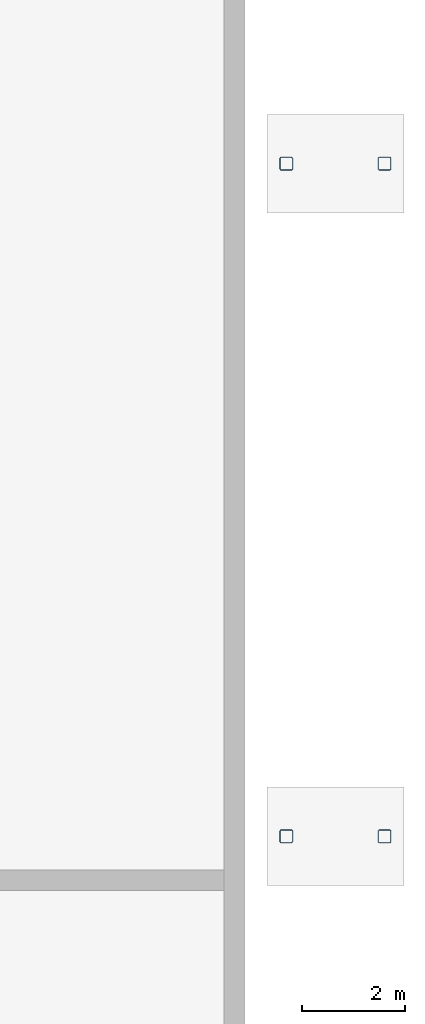
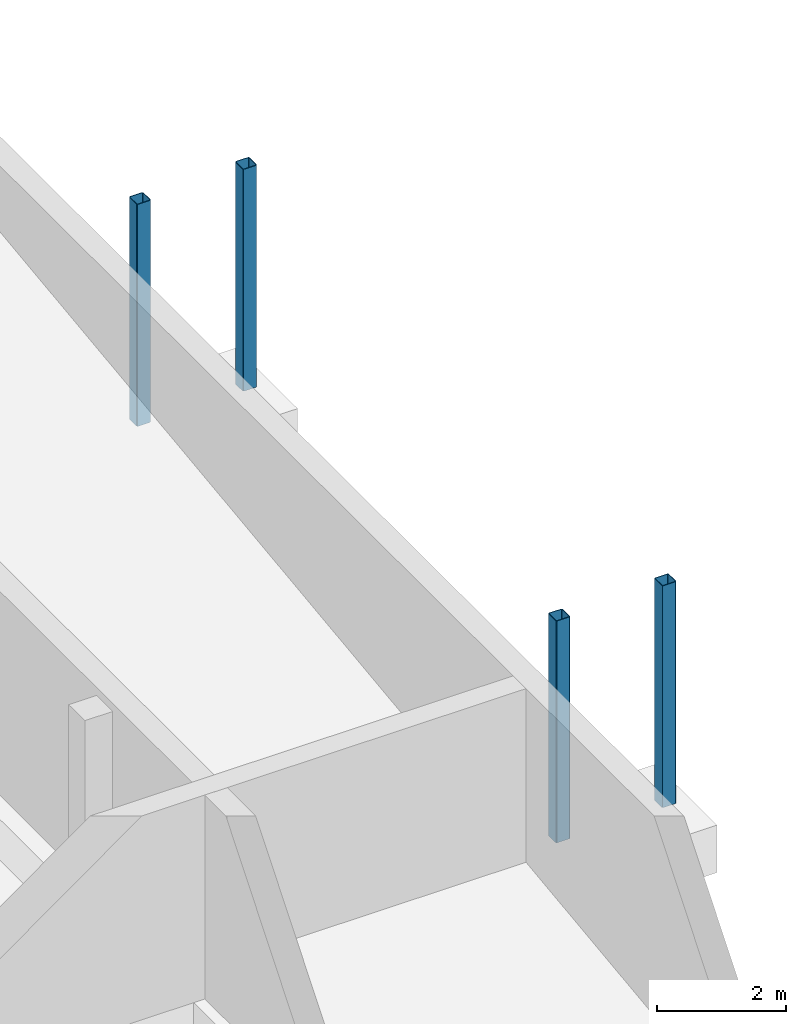
# One storey, part 24 of 43: 4 columns.
"""IFC4 building model written with IfcOpenShell, lengths in metres."""

from ifc_helpers import new_model, si_unit, direction, frame, origin, origin_2d, place, context, subcontext, project, spatial, hollow_rectangle, extrude, material, material_profile, profile_set, type_object, element, save


model = new_model("IFC4")

# Units and contexts
model_context = context("Model", 3, precision=1e-05, world=origin(), true_north=direction((0.0, 1.0)))
body_context = subcontext(model_context, "Body", "Model", "MODEL_VIEW")
ifc_project = project(units=[si_unit("LENGTHUNIT", "METRE"), si_unit("AREAUNIT", "SQUARE_METRE"), si_unit("VOLUMEUNIT", "CUBIC_METRE"), si_unit("PLANEANGLEUNIT", "RADIAN"), si_unit("MASSUNIT", "GRAM", prefix="KILO")], contexts=[model_context])

# Site, building, storey
site_placement = place(None, origin())
site = spatial("IfcSite", under=ifc_project, at=site_placement, CompositionType="ELEMENT")
building_placement = place(site_placement, origin())
building = spatial("IfcBuilding", under=site, at=building_placement, Name="Vespera Passage Community Centre", CompositionType="ELEMENT")
storey_placement = place(building_placement, frame((0.0, 0.0, -4.199951171875)))
storey = spatial("IfcBuildingStorey", under=building, at=storey_placement, Name="B1", CompositionType="ELEMENT", Elevation=-4.199951171875)

# Columns
ifc_material = material(Name="Steel ASTM A500 Grade C", Category="steel")
ifc_material_profile = material_profile(ifc_material, hollow_rectangle(XDim=0.25390625, YDim=0.25390625, WallThickness=0.01171875, InnerFilletRadius=0.01171875, OuterFilletRadius=0.023681640625, at=origin_2d()), Name="HSS254X254X12.7")
ifc_profile_set = profile_set([ifc_material_profile], Name="Steel ASTM A500 Grade C")
column_type = type_object("IfcColumnType", Name="COL-HSS254E", PredefinedType="COLUMN", material=ifc_profile_set)
for number, where, z_axis, x_axis, name in (
    (1, (161.550048828125, 44.050048828125, 0.0), (0.0, 0.0, 1.0), (1.0, 0.0, 0.0), "B1 Column RB1-P02-1"),
    (2, (163.449951171875, 44.050048828125, 0.0), (0.0, 0.0, 1.0), (1.0, 0.0, 0.0), "B1 Column RB1-P02-2"),
    (3, (161.550048828125, 57.050048828125, 0.0), (0.0, 0.0, 1.0), (1.0, 0.0, 0.0), "B1 Column RB1-P03-1"),
    (4, (163.449951171875, 57.050048828125, 0.0), (0.0, 0.0, 1.0), (1.0, 0.0, 0.0), "B1 Column RB1-P03-2"),
):
    element("IfcColumn", number, at=place(storey_placement, frame(where, z_axis=z_axis, x_axis=x_axis)), inside=storey, type_object=column_type, Name=name, PredefinedType="COLUMN", context=body_context, shape_type="SweptSolid", body=[
        extrude(hollow_rectangle(XDim=0.25390625, YDim=0.25390625, WallThickness=0.01171875, InnerFilletRadius=0.01171875, OuterFilletRadius=0.023681640625, at=origin_2d()), origin(), (0.0, 0.0, 1.0), 4.199951171875),
    ])

save(model, "model.ifc")
